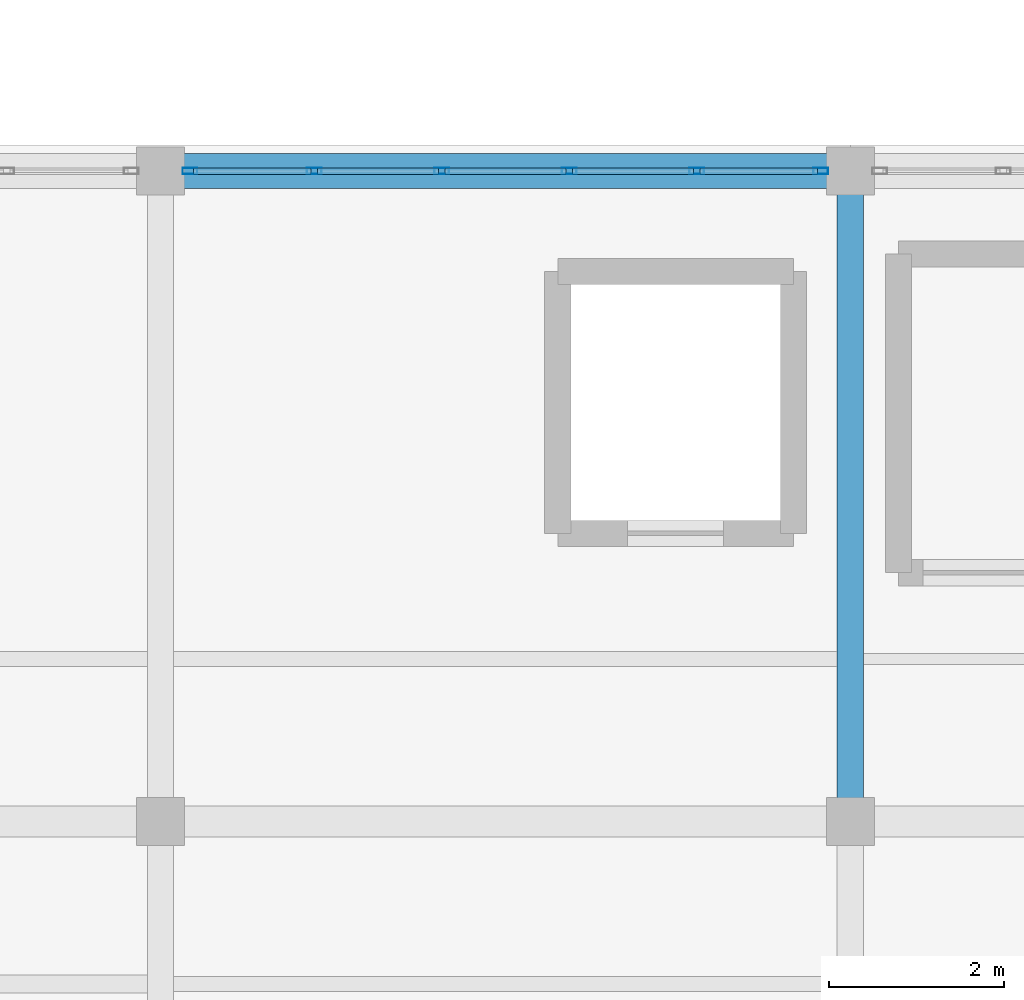
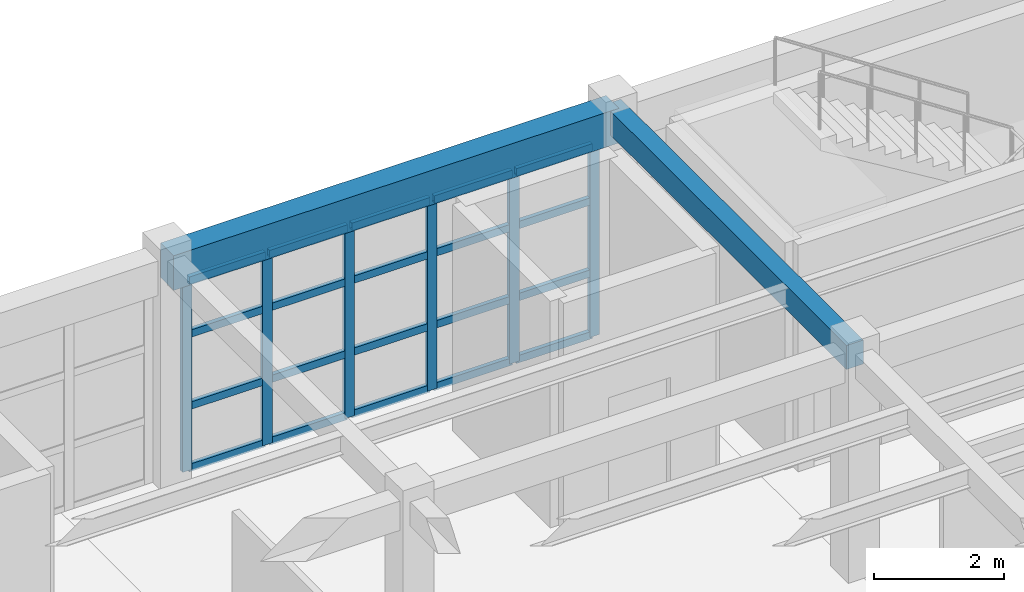
# One storey, part 12 of 85: 26 members, 2 beams, 1 element without a shape of its own.
"""IFC4 building model written with IfcOpenShell, lengths in metres."""

from ifc_helpers import new_model, si_unit, direction, frame, origin, origin_2d, place, context, subcontext, project, spatial, rectangle, hollow_rectangle, extrude, material, layer, layer_set, material_profile, profile_set, type_object, element, aggregate, save


model = new_model("IFC4")

# Units and contexts
model_context = context("Model", 3, precision=1e-05, world=origin(), true_north=direction((0.0, 1.0)))
body_context = subcontext(model_context, "Body", "Model", "MODEL_VIEW")
ifc_project = project(units=[si_unit("LENGTHUNIT", "METRE"), si_unit("AREAUNIT", "SQUARE_METRE"), si_unit("VOLUMEUNIT", "CUBIC_METRE"), si_unit("PLANEANGLEUNIT", "RADIAN"), si_unit("MASSUNIT", "GRAM", prefix="KILO")], contexts=[model_context])

# Site, building, storey
site_placement = place(None, origin())
site = spatial("IfcSite", under=ifc_project, at=site_placement, CompositionType="ELEMENT")
building_placement = place(site_placement, origin())
building = spatial("IfcBuilding", under=site, at=building_placement, Name="Candilejo Ridge Gondola Terminal", CompositionType="ELEMENT")
storey_placement = place(building_placement, frame((0.0, 0.0, 4.5)))
storey = spatial("IfcBuildingStorey", under=building, at=storey_placement, Name="L01", CompositionType="ELEMENT", Elevation=4.5)

# Curtain wall, members
ifc_material_1 = material(Name="Anodised aluminium AA 6063-T6", Category="aluminium")
ifc_layer = layer(ifc_material_1, 0.169921875)
ifc_layer_set = layer_set([ifc_layer], Name="ARC-CW-CONCOURSE-3600-730X359")
curtain_wall_type = type_object("IfcCurtainWallType", Name="ARC-CW-CONCOURSE-3600-730X359", PredefinedType="NOTDEFINED", material=ifc_layer_set)
curtain_wall_placement = place(storey_placement, origin())
curtain_wall = element("IfcCurtainWall", 1, at=curtain_wall_placement, inside=storey, type_object=curtain_wall_type, Name="Curtain wall V1 L01-010", PredefinedType="NOTDEFINED")
ifc_material_2 = material(Name="Anodised aluminium AA 6063-T6", Category="aluminium")
ifc_material_profile_1 = material_profile(ifc_material_2, hollow_rectangle(XDim=0.074951171875, YDim=0.169921875, WallThickness=0.00390625, at=origin_2d()))
ifc_profile_set_1 = profile_set([ifc_material_profile_1], Name="Anodised aluminium AA 6063-T6")
member_type_1 = type_object("IfcMemberType", Name="ARC-CW-MULLION", PredefinedType="MULLION", material=ifc_profile_set_1)
member_1_placement = place(storey_placement, frame((20.4375, 25.699951171875, 0.0), z_axis=(0.0, 0.0, 1.0), x_axis=(0.0, 1.0, 0.0)))
member_1 = element("IfcMember", 2, at=member_1_placement, type_object=member_type_1, Name="CW-73X35 mullion 1", PredefinedType="MULLION", context=body_context, shape_type="SweptSolid", body=[
    extrude(hollow_rectangle(XDim=0.074951171875, YDim=0.169921875, WallThickness=0.00390625, at=origin_2d()), origin(), (0.0, 0.0, 1.0), 3.590087890625),
])
member_2_placement = place(storey_placement, frame((21.860107421875, 25.699951171875, 0.0), z_axis=(0.0, 0.0, 1.0), x_axis=(0.0, 1.0, 0.0)))
member_2 = element("IfcMember", 3, at=member_2_placement, type_object=member_type_1, Name="CW-73X35 mullion 2", PredefinedType="MULLION", context=body_context, shape_type="SweptSolid", body=[
    extrude(hollow_rectangle(XDim=0.074951171875, YDim=0.169921875, WallThickness=0.00390625, at=origin_2d()), origin(), (0.0, 0.0, 1.0), 3.590087890625),
])
member_3_placement = place(storey_placement, frame((23.320068359375, 25.699951171875, 0.0), z_axis=(0.0, 0.0, 1.0), x_axis=(0.0, 1.0, 0.0)))
member_3 = element("IfcMember", 4, at=member_3_placement, type_object=member_type_1, Name="CW-73X35 mullion 3", PredefinedType="MULLION", context=body_context, shape_type="SweptSolid", body=[
    extrude(hollow_rectangle(XDim=0.074951171875, YDim=0.169921875, WallThickness=0.00390625, at=origin_2d()), origin(), (0.0, 0.0, 1.0), 3.590087890625),
])
member_4_placement = place(storey_placement, frame((24.780029296875, 25.699951171875, 0.0), z_axis=(0.0, 0.0, 1.0), x_axis=(0.0, 1.0, 0.0)))
member_4 = element("IfcMember", 5, at=member_4_placement, type_object=member_type_1, Name="CW-73X35 mullion 4", PredefinedType="MULLION", context=body_context, shape_type="SweptSolid", body=[
    extrude(hollow_rectangle(XDim=0.074951171875, YDim=0.169921875, WallThickness=0.00390625, at=origin_2d()), origin(), (0.0, 0.0, 1.0), 3.590087890625),
])
member_5_placement = place(storey_placement, frame((26.239990234375, 25.699951171875, 0.0), z_axis=(0.0, 0.0, 1.0), x_axis=(0.0, 1.0, 0.0)))
member_5 = element("IfcMember", 6, at=member_5_placement, type_object=member_type_1, Name="CW-73X35 mullion 5", PredefinedType="MULLION", context=body_context, shape_type="SweptSolid", body=[
    extrude(hollow_rectangle(XDim=0.074951171875, YDim=0.169921875, WallThickness=0.00390625, at=origin_2d()), origin(), (0.0, 0.0, 1.0), 3.590087890625),
])
member_6_placement = place(storey_placement, frame((27.66259765625, 25.699951171875, 0.0), z_axis=(0.0, 0.0, 1.0), x_axis=(0.0, 1.0, 0.0)))
member_6 = element("IfcMember", 7, at=member_6_placement, type_object=member_type_1, Name="CW-73X35 mullion 6", PredefinedType="MULLION", context=body_context, shape_type="SweptSolid", body=[
    extrude(hollow_rectangle(XDim=0.074951171875, YDim=0.169921875, WallThickness=0.00390625, at=origin_2d()), origin(), (0.0, 0.0, 1.0), 3.590087890625),
])
ifc_material_3 = material(Name="Anodised aluminium AA 6063-T6", Category="aluminium")
ifc_material_profile_2 = material_profile(ifc_material_3, hollow_rectangle(XDim=0.074951171875, YDim=0.139892578125, WallThickness=0.00390625, at=origin_2d()))
ifc_profile_set_2 = profile_set([ifc_material_profile_2], Name="Anodised aluminium AA 6063-T6")
member_type_2 = type_object("IfcMemberType", Name="ARC-CW-TRANSOM", PredefinedType="USERDEFINED", material=ifc_profile_set_2)
member_7_placement = place(storey_placement, frame((20.47509765625, 25.699951171875, 0.03759765625), z_axis=(1.0, 0.0, 0.0), x_axis=(0.0, 1.0, 0.0)))
member_7 = element("IfcMember", 8, at=member_7_placement, type_object=member_type_2, Name="CW-73X35 transom 1.1", ObjectType="TRANSOM", PredefinedType="USERDEFINED", context=body_context, shape_type="SweptSolid", body=[
    extrude(hollow_rectangle(XDim=0.074951171875, YDim=0.139892578125, WallThickness=0.00390625, at=origin_2d()), origin(), (0.0, 0.0, 1.0), 1.347412109375),
])
member_8_placement = place(storey_placement, frame((20.47509765625, 25.699951171875, 1.199951171875), z_axis=(1.0, 0.0, 0.0), x_axis=(0.0, 1.0, 0.0)))
member_8 = element("IfcMember", 9, at=member_8_placement, type_object=member_type_2, Name="CW-73X35 transom 1.2", ObjectType="TRANSOM", PredefinedType="USERDEFINED", context=body_context, shape_type="SweptSolid", body=[
    extrude(hollow_rectangle(XDim=0.074951171875, YDim=0.139892578125, WallThickness=0.00390625, at=origin_2d()), origin(), (0.0, 0.0, 1.0), 1.347412109375),
])
member_9_placement = place(storey_placement, frame((20.47509765625, 25.699951171875, 2.550048828125), z_axis=(1.0, 0.0, 0.0), x_axis=(0.0, 1.0, 0.0)))
member_9 = element("IfcMember", 10, at=member_9_placement, type_object=member_type_2, Name="CW-73X35 transom 1.3", ObjectType="TRANSOM", PredefinedType="USERDEFINED", context=body_context, shape_type="SweptSolid", body=[
    extrude(hollow_rectangle(XDim=0.074951171875, YDim=0.139892578125, WallThickness=0.00390625, at=origin_2d()), origin(), (0.0, 0.0, 1.0), 1.347412109375),
])
member_10_placement = place(storey_placement, frame((20.47509765625, 25.699951171875, 3.552490234375), z_axis=(1.0, 0.0, 0.0), x_axis=(0.0, 1.0, 0.0)))
member_10 = element("IfcMember", 11, at=member_10_placement, type_object=member_type_2, Name="CW-73X35 transom 1.4", ObjectType="TRANSOM", PredefinedType="USERDEFINED", context=body_context, shape_type="SweptSolid", body=[
    extrude(hollow_rectangle(XDim=0.074951171875, YDim=0.139892578125, WallThickness=0.00390625, at=origin_2d()), origin(), (0.0, 0.0, 1.0), 1.347412109375),
])
member_11_placement = place(storey_placement, frame((21.8974609375, 25.699951171875, 0.03759765625), z_axis=(1.0, 0.0, 0.0), x_axis=(0.0, 1.0, 0.0)))
member_11 = element("IfcMember", 12, at=member_11_placement, type_object=member_type_2, Name="CW-73X35 transom 2.1", ObjectType="TRANSOM", PredefinedType="USERDEFINED", context=body_context, shape_type="SweptSolid", body=[
    extrude(hollow_rectangle(XDim=0.074951171875, YDim=0.139892578125, WallThickness=0.00390625, at=origin_2d()), origin(), (0.0, 0.0, 1.0), 1.385009765625),
])
member_12_placement = place(storey_placement, frame((21.8974609375, 25.699951171875, 1.199951171875), z_axis=(1.0, 0.0, 0.0), x_axis=(0.0, 1.0, 0.0)))
member_12 = element("IfcMember", 13, at=member_12_placement, type_object=member_type_2, Name="CW-73X35 transom 2.2", ObjectType="TRANSOM", PredefinedType="USERDEFINED", context=body_context, shape_type="SweptSolid", body=[
    extrude(hollow_rectangle(XDim=0.074951171875, YDim=0.139892578125, WallThickness=0.00390625, at=origin_2d()), origin(), (0.0, 0.0, 1.0), 1.385009765625),
])
member_13_placement = place(storey_placement, frame((21.8974609375, 25.699951171875, 2.550048828125), z_axis=(1.0, 0.0, 0.0), x_axis=(0.0, 1.0, 0.0)))
member_13 = element("IfcMember", 14, at=member_13_placement, type_object=member_type_2, Name="CW-73X35 transom 2.3", ObjectType="TRANSOM", PredefinedType="USERDEFINED", context=body_context, shape_type="SweptSolid", body=[
    extrude(hollow_rectangle(XDim=0.074951171875, YDim=0.139892578125, WallThickness=0.00390625, at=origin_2d()), origin(), (0.0, 0.0, 1.0), 1.385009765625),
])
member_14_placement = place(storey_placement, frame((21.8974609375, 25.699951171875, 3.552490234375), z_axis=(1.0, 0.0, 0.0), x_axis=(0.0, 1.0, 0.0)))
member_14 = element("IfcMember", 15, at=member_14_placement, type_object=member_type_2, Name="CW-73X35 transom 2.4", ObjectType="TRANSOM", PredefinedType="USERDEFINED", context=body_context, shape_type="SweptSolid", body=[
    extrude(hollow_rectangle(XDim=0.074951171875, YDim=0.139892578125, WallThickness=0.00390625, at=origin_2d()), origin(), (0.0, 0.0, 1.0), 1.385009765625),
])
member_15_placement = place(storey_placement, frame((23.357421875, 25.699951171875, 0.03759765625), z_axis=(1.0, 0.0, 0.0), x_axis=(0.0, 1.0, 0.0)))
member_15 = element("IfcMember", 16, at=member_15_placement, type_object=member_type_2, Name="CW-73X35 transom 3.1", ObjectType="TRANSOM", PredefinedType="USERDEFINED", context=body_context, shape_type="SweptSolid", body=[
    extrude(hollow_rectangle(XDim=0.074951171875, YDim=0.139892578125, WallThickness=0.00390625, at=origin_2d()), origin(), (0.0, 0.0, 1.0), 1.385009765625),
])
member_16_placement = place(storey_placement, frame((23.357421875, 25.699951171875, 1.199951171875), z_axis=(1.0, 0.0, 0.0), x_axis=(0.0, 1.0, 0.0)))
member_16 = element("IfcMember", 17, at=member_16_placement, type_object=member_type_2, Name="CW-73X35 transom 3.2", ObjectType="TRANSOM", PredefinedType="USERDEFINED", context=body_context, shape_type="SweptSolid", body=[
    extrude(hollow_rectangle(XDim=0.074951171875, YDim=0.139892578125, WallThickness=0.00390625, at=origin_2d()), origin(), (0.0, 0.0, 1.0), 1.385009765625),
])
member_17_placement = place(storey_placement, frame((23.357421875, 25.699951171875, 2.550048828125), z_axis=(1.0, 0.0, 0.0), x_axis=(0.0, 1.0, 0.0)))
member_17 = element("IfcMember", 18, at=member_17_placement, type_object=member_type_2, Name="CW-73X35 transom 3.3", ObjectType="TRANSOM", PredefinedType="USERDEFINED", context=body_context, shape_type="SweptSolid", body=[
    extrude(hollow_rectangle(XDim=0.074951171875, YDim=0.139892578125, WallThickness=0.00390625, at=origin_2d()), origin(), (0.0, 0.0, 1.0), 1.385009765625),
])
member_18_placement = place(storey_placement, frame((23.357421875, 25.699951171875, 3.552490234375), z_axis=(1.0, 0.0, 0.0), x_axis=(0.0, 1.0, 0.0)))
member_18 = element("IfcMember", 19, at=member_18_placement, type_object=member_type_2, Name="CW-73X35 transom 3.4", ObjectType="TRANSOM", PredefinedType="USERDEFINED", context=body_context, shape_type="SweptSolid", body=[
    extrude(hollow_rectangle(XDim=0.074951171875, YDim=0.139892578125, WallThickness=0.00390625, at=origin_2d()), origin(), (0.0, 0.0, 1.0), 1.385009765625),
])
member_19_placement = place(storey_placement, frame((24.8173828125, 25.699951171875, 0.03759765625), z_axis=(1.0, 0.0, 0.0), x_axis=(0.0, 1.0, 0.0)))
member_19 = element("IfcMember", 20, at=member_19_placement, type_object=member_type_2, Name="CW-73X35 transom 4.1", ObjectType="TRANSOM", PredefinedType="USERDEFINED", context=body_context, shape_type="SweptSolid", body=[
    extrude(hollow_rectangle(XDim=0.074951171875, YDim=0.139892578125, WallThickness=0.00390625, at=origin_2d()), origin(), (0.0, 0.0, 1.0), 1.385009765625),
])
member_20_placement = place(storey_placement, frame((24.8173828125, 25.699951171875, 1.199951171875), z_axis=(1.0, 0.0, 0.0), x_axis=(0.0, 1.0, 0.0)))
member_20 = element("IfcMember", 21, at=member_20_placement, type_object=member_type_2, Name="CW-73X35 transom 4.2", ObjectType="TRANSOM", PredefinedType="USERDEFINED", context=body_context, shape_type="SweptSolid", body=[
    extrude(hollow_rectangle(XDim=0.074951171875, YDim=0.139892578125, WallThickness=0.00390625, at=origin_2d()), origin(), (0.0, 0.0, 1.0), 1.385009765625),
])
member_21_placement = place(storey_placement, frame((24.8173828125, 25.699951171875, 2.550048828125), z_axis=(1.0, 0.0, 0.0), x_axis=(0.0, 1.0, 0.0)))
member_21 = element("IfcMember", 22, at=member_21_placement, type_object=member_type_2, Name="CW-73X35 transom 4.3", ObjectType="TRANSOM", PredefinedType="USERDEFINED", context=body_context, shape_type="SweptSolid", body=[
    extrude(hollow_rectangle(XDim=0.074951171875, YDim=0.139892578125, WallThickness=0.00390625, at=origin_2d()), origin(), (0.0, 0.0, 1.0), 1.385009765625),
])
member_22_placement = place(storey_placement, frame((24.8173828125, 25.699951171875, 3.552490234375), z_axis=(1.0, 0.0, 0.0), x_axis=(0.0, 1.0, 0.0)))
member_22 = element("IfcMember", 23, at=member_22_placement, type_object=member_type_2, Name="CW-73X35 transom 4.4", ObjectType="TRANSOM", PredefinedType="USERDEFINED", context=body_context, shape_type="SweptSolid", body=[
    extrude(hollow_rectangle(XDim=0.074951171875, YDim=0.139892578125, WallThickness=0.00390625, at=origin_2d()), origin(), (0.0, 0.0, 1.0), 1.385009765625),
])
member_23_placement = place(storey_placement, frame((26.277587890625, 25.699951171875, 0.03759765625), z_axis=(1.0, 0.0, 0.0), x_axis=(0.0, 1.0, 0.0)))
member_23 = element("IfcMember", 24, at=member_23_placement, type_object=member_type_2, Name="CW-73X35 transom 5.1", ObjectType="TRANSOM", PredefinedType="USERDEFINED", context=body_context, shape_type="SweptSolid", body=[
    extrude(hollow_rectangle(XDim=0.074951171875, YDim=0.139892578125, WallThickness=0.00390625, at=origin_2d()), origin(), (0.0, 0.0, 1.0), 1.347412109375),
])
member_24_placement = place(storey_placement, frame((26.277587890625, 25.699951171875, 1.199951171875), z_axis=(1.0, 0.0, 0.0), x_axis=(0.0, 1.0, 0.0)))
member_24 = element("IfcMember", 25, at=member_24_placement, type_object=member_type_2, Name="CW-73X35 transom 5.2", ObjectType="TRANSOM", PredefinedType="USERDEFINED", context=body_context, shape_type="SweptSolid", body=[
    extrude(hollow_rectangle(XDim=0.074951171875, YDim=0.139892578125, WallThickness=0.00390625, at=origin_2d()), origin(), (0.0, 0.0, 1.0), 1.347412109375),
])
member_25_placement = place(storey_placement, frame((26.277587890625, 25.699951171875, 2.550048828125), z_axis=(1.0, 0.0, 0.0), x_axis=(0.0, 1.0, 0.0)))
member_25 = element("IfcMember", 26, at=member_25_placement, type_object=member_type_2, Name="CW-73X35 transom 5.3", ObjectType="TRANSOM", PredefinedType="USERDEFINED", context=body_context, shape_type="SweptSolid", body=[
    extrude(hollow_rectangle(XDim=0.074951171875, YDim=0.139892578125, WallThickness=0.00390625, at=origin_2d()), origin(), (0.0, 0.0, 1.0), 1.347412109375),
])
member_26_placement = place(storey_placement, frame((26.277587890625, 25.699951171875, 3.552490234375), z_axis=(1.0, 0.0, 0.0), x_axis=(0.0, 1.0, 0.0)))
member_26 = element("IfcMember", 27, at=member_26_placement, type_object=member_type_2, Name="CW-73X35 transom 5.4", ObjectType="TRANSOM", PredefinedType="USERDEFINED", context=body_context, shape_type="SweptSolid", body=[
    extrude(hollow_rectangle(XDim=0.074951171875, YDim=0.139892578125, WallThickness=0.00390625, at=origin_2d()), origin(), (0.0, 0.0, 1.0), 1.347412109375),
])
aggregate(curtain_wall, [member_1, member_2, member_3, member_4, member_5, member_6, member_7, member_8, member_9, member_10, member_11, member_12, member_13, member_14, member_15, member_16, member_17, member_18, member_19, member_20, member_21, member_22, member_23, member_24, member_25, member_26])

# Beams
ifc_material_4 = material(Name="Concrete f'c 35 MPa (C35/45)", Category="concrete")
ifc_material_profile_3 = material_profile(ifc_material_4, rectangle(XDim=0.300048828125, YDim=0.449951171875, at=origin_2d()))
ifc_profile_set_3 = profile_set([ifc_material_profile_3], Name="Concrete f'c 35 MPa (C35/45)")
beam_type_1 = type_object("IfcBeamType", Name="STR-BM-RC300X450", PredefinedType="BEAM", material=ifc_profile_set_3)
beam_1_placement = place(storey_placement, frame((28.0, 18.25, 4.02490234375), z_axis=(0.0, 1.0, 0.0), x_axis=(-1.0, 0.0, 0.0)))
element("IfcBeam", 28, at=beam_1_placement, inside=storey, type_object=beam_type_1, Name="Beam Y V1 L01 Y03-Y05@X04", PredefinedType="BEAM", context=body_context, shape_type="SweptSolid", body=[
    extrude(rectangle(XDim=0.300048828125, YDim=0.449951171875, at=origin_2d()), origin(), (0.0, 0.0, 1.0), 7.449951171875),
])
ifc_material_5 = material(Name="Concrete f'c 35 MPa (C35/45)", Category="concrete")
ifc_material_profile_4 = material_profile(ifc_material_5, rectangle(XDim=0.39990234375, YDim=0.64990234375, at=origin_2d()))
ifc_profile_set_4 = profile_set([ifc_material_profile_4], Name="Concrete f'c 35 MPa (C35/45)")
beam_type_2 = type_object("IfcBeamType", Name="STR-SPN-RC400X650", PredefinedType="SPANDREL", material=ifc_profile_set_4)
beam_2_placement = place(storey_placement, frame((20.10009765625, 25.699951171875, 3.925048828125), z_axis=(1.0, 0.0, 0.0), x_axis=(0.0, 1.0, 0.0)))
element("IfcBeam", 29, at=beam_2_placement, inside=storey, type_object=beam_type_2, Name="Beam X V1 L01 X03-X04@Y05", PredefinedType="SPANDREL", context=body_context, shape_type="SweptSolid", body=[
    extrude(rectangle(XDim=0.39990234375, YDim=0.64990234375, at=origin_2d()), origin(), (0.0, 0.0, 1.0), 7.89990234375),
])

save(model, "model.ifc")
